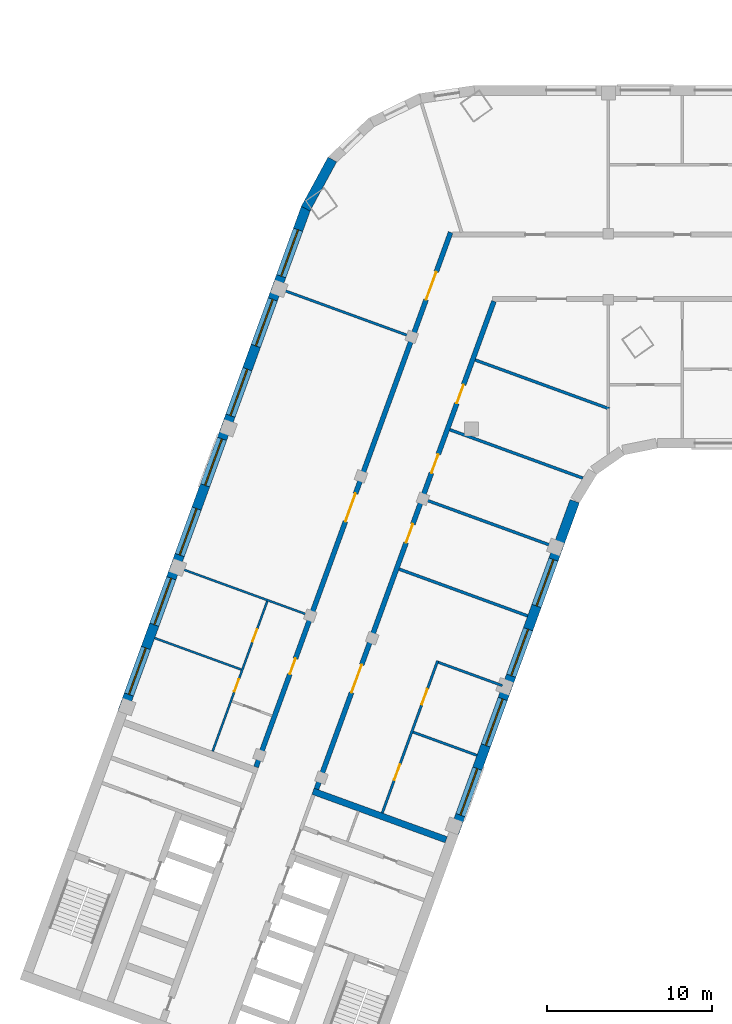
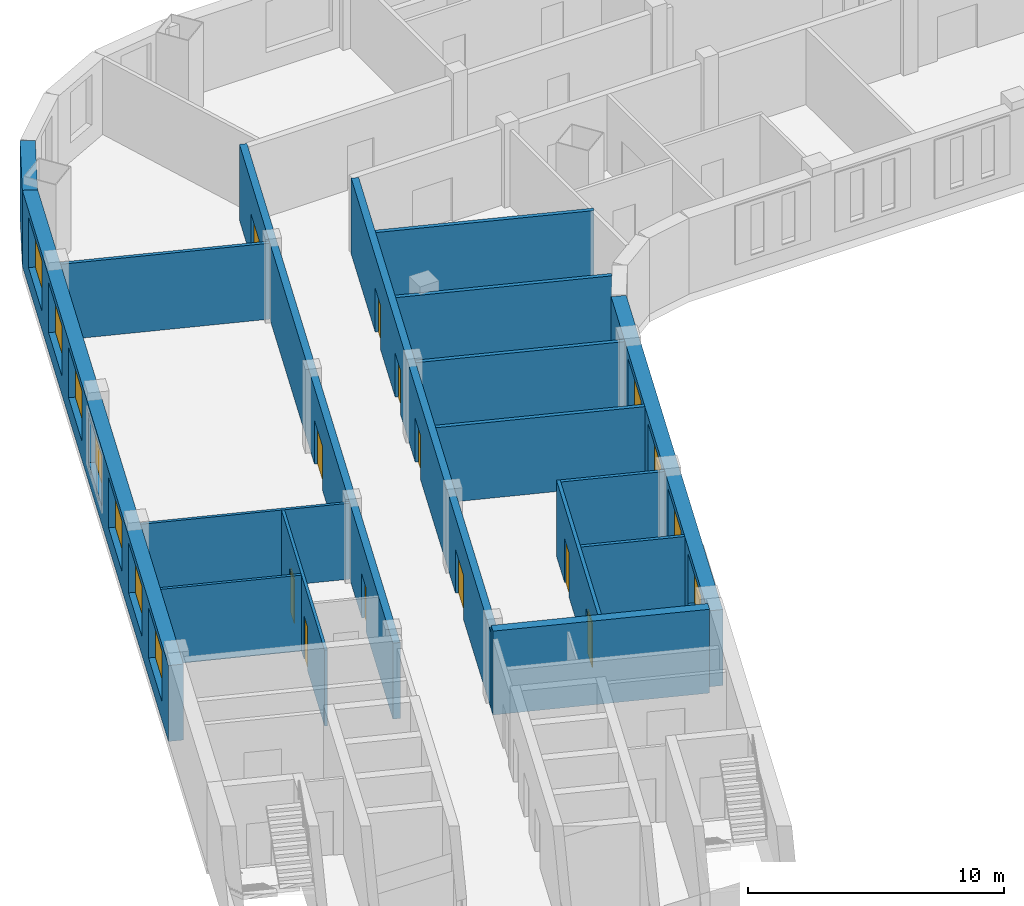
# One storey, part 3 of 10: 17 walls, 11 doors, 11 windows, 22 openings.
"""IFC4 building model written with IfcOpenShell, lengths in metres."""

from ifc_helpers import new_model, si_unit, direction, frame, frame_2d, origin, place, context, subcontext, project, spatial, rectangle, extrude, material, layer, layer_set, type_object, element, fill, save


model = new_model("IFC4")

# Units and contexts
model_context = context("Model", 3, precision=1e-05, world=origin(), true_north=direction((0.0, 1.0)))
body_context = subcontext(model_context, "Body", "Model", "MODEL_VIEW")
ifc_project = project(units=[si_unit("LENGTHUNIT", "METRE"), si_unit("AREAUNIT", "SQUARE_METRE"), si_unit("VOLUMEUNIT", "CUBIC_METRE"), si_unit("PLANEANGLEUNIT", "RADIAN"), si_unit("MASSUNIT", "GRAM", prefix="KILO")], contexts=[model_context])

# Site, building, storey
site_placement = place(None, origin())
site = spatial("IfcSite", under=ifc_project, at=site_placement, CompositionType="ELEMENT")
building_placement = place(site_placement, origin())
building = spatial("IfcBuilding", under=site, at=building_placement, Name="Skarvind Civic Tower", CompositionType="ELEMENT")
storey_placement = place(building_placement, frame((0.0, 0.0, 97.0)))
storey = spatial("IfcBuildingStorey", under=building, at=storey_placement, Name="L22", CompositionType="ELEMENT", Elevation=97.0)

# Walls
ifc_material_1 = material(Name="Acoustic gypsum board on steel studs", Category="steel")
ifc_layer_1 = layer(ifc_material_1, 0.175048828125)
ifc_layer_set_1 = layer_set([ifc_layer_1], Name="ACOUSTIC MEETING-ROOM PARTITION 175")
wall_type_1 = type_object("IfcWallType", Name="ACOUSTIC MEETING-ROOM PARTITION 175", PredefinedType="PARTITIONING", material=ifc_layer_set_1)
wall_1_placement = place(storey_placement, frame((41.56103515625, 109.6630859375, 0.0), z_axis=(0.0, 0.0, 1.0), x_axis=(0.939673986983, -0.342071334939, 0.0)))
element("IfcWall", 1, at=wall_1_placement, inside=storey, type_object=wall_type_1, Name="Partition 22.008", PredefinedType="PARTITIONING", context=body_context, shape_type="SweptSolid", body=[
    extrude(rectangle(XDim=8.2998046875, YDim=0.175048828125, at=frame_2d((4.14990234375, 0.0))), origin(), (0.0, 0.0, 1.0), 3.625),
])
wall_2_placement = place(storey_placement, frame((43.10009765625, 113.89111328125, 0.0), z_axis=(0.0, 0.0, 1.0), x_axis=(0.939670544866, -0.342080790328, 0.0)))
element("IfcWall", 2, at=wall_2_placement, inside=storey, type_object=wall_type_1, Name="Partition 22.012", PredefinedType="PARTITIONING", context=body_context, shape_type="SweptSolid", body=[
    extrude(rectangle(XDim=8.299560546875, YDim=0.175048828125, at=frame_2d((4.14990234375, 0.0))), origin(), (0.0, 0.0, 1.0), 3.625),
])
wall_3_placement = place(storey_placement, frame((44.638916015625, 118.1201171875, 0.0), z_axis=(0.0, 0.0, 1.0), x_axis=(0.939669707102, -0.342083091593, 0.0)))
element("IfcWall", 3, at=wall_3_placement, inside=storey, type_object=wall_type_1, Name="Partition 22.013", PredefinedType="PARTITIONING", context=body_context, shape_type="SweptSolid", body=[
    extrude(rectangle(XDim=8.58935546875, YDim=0.175048828125, at=frame_2d((4.294677734375, 0.0))), origin(), (0.0, 0.0, 1.0), 3.625),
])
wall_4_placement = place(storey_placement, frame((54.320068359375, 119.384033203125, 0.0), z_axis=(0.0, 0.0, 1.0), x_axis=(-0.939632908118, 0.342184157994, 0.0)))
element("IfcWall", 4, at=wall_4_placement, inside=storey, type_object=wall_type_1, Name="Partition 22.018", PredefinedType="PARTITIONING", context=body_context, shape_type="SweptSolid", body=[
    extrude(rectangle(XDim=8.665283203125, YDim=0.175048828125, at=frame_2d((4.33251953125, 0.0))), origin(), (0.0, 0.0, 1.0), 3.625),
])

# Wall, openings, doors
ifc_material_2 = material(Name="Fire-rated gypsum board on steel studs", Category="steel")
ifc_layer_2 = layer(ifc_material_2, 0.300048828125)
ifc_layer_set_2 = layer_set([ifc_layer_2], Name="CORRIDOR WALL 300")
wall_type_2 = type_object("IfcWallType", Name="CORRIDOR WALL 300", PredefinedType="PARTITIONING", material=ifc_layer_set_2)
wall_5_placement = place(storey_placement, frame((44.68603515625, 130.091064453125, 0.0), z_axis=(0.0, 0.0, 1.0), x_axis=(-0.342017360004, -0.939693633828, 0.0)))
wall_5 = element("IfcWall", 5, at=wall_5_placement, inside=storey, type_object=wall_type_2, Name="Partition 22.006", PredefinedType="PARTITIONING", context=body_context, shape_type="SweptSolid", body=[
    extrude(rectangle(XDim=34.515625, YDim=0.300048828125, at=frame_2d((17.2578125, 0.0))), origin(), (0.0, 0.0, 1.0), 3.625),
])
opening_1_placement = place(wall_5_placement, frame((27.515380859375, 0.0, 0.0)))
opening_1 = element("IfcOpeningElement", 6, at=opening_1_placement, cuts=wall_5, Name="Opening L22-D015", PredefinedType="OPENING", context=body_context, shape_type="SweptSolid", body=[
    extrude(rectangle(XDim=1.0, YDim=2.10009765625, at=frame_2d((0.5, 1.050048828125))), frame((0.0, 0.159912109375, 0.0), z_axis=(0.0, -1.0, 0.0), x_axis=(1.0, 0.0, 0.0)), (0.0, 0.0, 1.0), 0.320068359375),
])
opening_2_placement = place(wall_5_placement, frame((16.865234375, 0.0, 0.0)))
opening_2 = element("IfcOpeningElement", 7, at=opening_2_placement, cuts=wall_5, Name="Opening L22-D019", PredefinedType="OPENING", context=body_context, shape_type="SweptSolid", body=[
    extrude(rectangle(XDim=1.800048828125, YDim=2.10009765625, at=frame_2d((0.89990234375, 1.050048828125))), frame((0.0, 0.159912109375, 0.0), z_axis=(0.0, -1.0, 0.0), x_axis=(1.0, 0.0, 0.0)), (0.0, 0.0, 1.0), 0.320068359375),
])
opening_3_placement = place(wall_5_placement, frame((2.553955078125, 0.0, 0.0)))
opening_3 = element("IfcOpeningElement", 8, at=opening_3_placement, cuts=wall_5, Name="Opening L22-D026", PredefinedType="OPENING", context=body_context, shape_type="SweptSolid", body=[
    extrude(rectangle(XDim=1.800048828125, YDim=2.10009765625, at=frame_2d((0.89990234375, 1.050048828125))), frame((0.0, 0.159912109375, 0.0), z_axis=(0.0, -1.0, 0.0), x_axis=(1.0, 0.0, 0.0)), (0.0, 0.0, 1.0), 0.320068359375),
])
ifc_material_3 = material(Name="Fire-rated timber door leaf", Category="wood")
door_type_1 = type_object("IfcDoorType", Name="FD1 1000x2100", OperationType="NOTDEFINED", PredefinedType="DOOR", material=ifc_material_3)
door_1_placement = place(opening_1_placement, origin())
door_1 = element("IfcDoor", 9, at=door_1_placement, inside=storey, type_object=door_type_1, Name="Door L22-D015", OperationType="SINGLE_SWING_RIGHT", OverallHeight=2.10009765625, OverallWidth=1.0, PredefinedType="DOOR", context=body_context, shape_type="SweptSolid", body=[
    extrude(rectangle(XDim=1.0, YDim=2.10009765625, at=frame_2d((0.5, 1.050048828125))), frame((0.0, 0.02490234375, 0.0), z_axis=(0.0, -1.0, 0.0), x_axis=(1.0, 0.0, 0.0)), (0.0, 0.0, 1.0), 0.050048828125),
])
fill(opening_1, door_1)
door_type_2 = type_object("IfcDoorType", Name="FD4 1800x2100", OperationType="NOTDEFINED", PredefinedType="DOOR", material=ifc_material_3)
door_2_placement = place(opening_2_placement, origin())
door_2 = element("IfcDoor", 10, at=door_2_placement, inside=storey, type_object=door_type_2, Name="Door L22-D019", OperationType="DOUBLE_DOOR_SINGLE_SWING", OverallHeight=2.10009765625, OverallWidth=1.800048828125, PredefinedType="DOOR", context=body_context, shape_type="SweptSolid", body=[
    extrude(rectangle(XDim=1.800048828125, YDim=2.10009765625, at=frame_2d((0.89990234375, 1.050048828125))), frame((0.0, 0.02490234375, 0.0), z_axis=(0.0, -1.0, 0.0), x_axis=(1.0, 0.0, 0.0)), (0.0, 0.0, 1.0), 0.050048828125),
])
fill(opening_2, door_2)
door_3_placement = place(opening_3_placement, origin())
door_3 = element("IfcDoor", 11, at=door_3_placement, inside=storey, type_object=door_type_2, Name="Door L22-D026", OperationType="DOUBLE_DOOR_SINGLE_SWING", OverallHeight=2.10009765625, OverallWidth=1.800048828125, PredefinedType="DOOR", context=body_context, shape_type="SweptSolid", body=[
    extrude(rectangle(XDim=1.800048828125, YDim=2.10009765625, at=frame_2d((0.89990234375, 1.050048828125))), frame((0.0, 0.02490234375, 0.0), z_axis=(0.0, -1.0, 0.0), x_axis=(1.0, 0.0, 0.0)), (0.0, 0.0, 1.0), 0.050048828125),
])
fill(opening_3, door_3)

wall_6_placement = place(storey_placement, frame((47.31396484375, 125.908935546875, 0.0), z_axis=(0.0, 0.0, 1.0), x_axis=(-0.342010770371, -0.939696032209, 0.0)))
wall_6 = element("IfcWall", 12, at=wall_6_placement, inside=storey, type_object=wall_type_2, Name="Partition 22.015", PredefinedType="PARTITIONING", context=body_context, shape_type="SweptSolid", body=[
    extrude(rectangle(XDim=31.484619140625, YDim=0.300048828125, at=frame_2d((15.7421875, 0.0))), origin(), (0.0, 0.0, 1.0), 3.625),
])
opening_4_placement = place(wall_6_placement, frame((23.459228515625, 0.0, 0.0)))
opening_4 = element("IfcOpeningElement", 13, at=opening_4_placement, cuts=wall_6, Name="Opening L22-D022", PredefinedType="OPENING", context=body_context, shape_type="SweptSolid", body=[
    extrude(rectangle(XDim=1.800048828125, YDim=2.10009765625, at=frame_2d((0.89990234375, 1.050048828125))), frame((0.0, 0.159912109375, 0.0), z_axis=(0.0, -1.0, 0.0), x_axis=(1.0, 0.0, 0.0)), (0.0, 0.0, 1.0), 0.320068359375),
])
opening_5_placement = place(wall_6_placement, frame((14.384521484375, 0.0, 0.0)))
opening_5 = element("IfcOpeningElement", 14, at=opening_5_placement, cuts=wall_6, Name="Opening L22-D023", PredefinedType="OPENING", context=body_context, shape_type="SweptSolid", body=[
    extrude(rectangle(XDim=1.199951171875, YDim=2.10009765625, at=frame_2d((0.60009765625, 1.050048828125))), frame((0.0, 0.159912109375, 0.0), z_axis=(0.0, -1.0, 0.0), x_axis=(1.0, 0.0, 0.0)), (0.0, 0.0, 1.0), 0.320068359375),
])
opening_6_placement = place(wall_6_placement, frame((9.884521484375, 0.0, 0.0)))
opening_6 = element("IfcOpeningElement", 15, at=opening_6_placement, cuts=wall_6, Name="Opening L22-D024", PredefinedType="OPENING", context=body_context, shape_type="SweptSolid", body=[
    extrude(rectangle(XDim=1.199951171875, YDim=2.10009765625, at=frame_2d((0.60009765625, 1.050048828125))), frame((0.0, 0.159912109375, 0.0), z_axis=(0.0, -1.0, 0.0), x_axis=(1.0, 0.0, 0.0)), (0.0, 0.0, 1.0), 0.320068359375),
])
opening_7_placement = place(wall_6_placement, frame((5.38427734375, 0.0, 0.0)))
opening_7 = element("IfcOpeningElement", 16, at=opening_7_placement, cuts=wall_6, Name="Opening L22-D025", PredefinedType="OPENING", context=body_context, shape_type="SweptSolid", body=[
    extrude(rectangle(XDim=1.199951171875, YDim=2.10009765625, at=frame_2d((0.60009765625, 1.050048828125))), frame((0.0, 0.159912109375, 0.0), z_axis=(0.0, -1.0, 0.0), x_axis=(1.0, 0.0, 0.0)), (0.0, 0.0, 1.0), 0.320068359375),
])
door_4_placement = place(opening_4_placement, origin())
door_4 = element("IfcDoor", 17, at=door_4_placement, inside=storey, type_object=door_type_2, Name="Door L22-D022", OperationType="DOUBLE_DOOR_SINGLE_SWING", OverallHeight=2.10009765625, OverallWidth=1.800048828125, PredefinedType="DOOR", context=body_context, shape_type="SweptSolid", body=[
    extrude(rectangle(XDim=1.800048828125, YDim=2.10009765625, at=frame_2d((0.89990234375, 1.050048828125))), frame((0.0, 0.02490234375, 0.0), z_axis=(0.0, -1.0, 0.0), x_axis=(1.0, 0.0, 0.0)), (0.0, 0.0, 1.0), 0.050048828125),
])
fill(opening_4, door_4)
door_type_3 = type_object("IfcDoorType", Name="FD6 1200x2100 DOUBLE", OperationType="NOTDEFINED", PredefinedType="DOOR", material=ifc_material_3)
door_5_placement = place(opening_5_placement, origin())
door_5 = element("IfcDoor", 18, at=door_5_placement, inside=storey, type_object=door_type_3, Name="Door L22-D023", OperationType="DOUBLE_DOOR_SINGLE_SWING", OverallHeight=2.10009765625, OverallWidth=1.199951171875, PredefinedType="DOOR", context=body_context, shape_type="SweptSolid", body=[
    extrude(rectangle(XDim=1.199951171875, YDim=2.10009765625, at=frame_2d((0.60009765625, 1.050048828125))), frame((0.0, 0.02490234375, 0.0), z_axis=(0.0, -1.0, 0.0), x_axis=(1.0, 0.0, 0.0)), (0.0, 0.0, 1.0), 0.050048828125),
])
fill(opening_5, door_5)
door_6_placement = place(opening_6_placement, origin())
door_6 = element("IfcDoor", 19, at=door_6_placement, inside=storey, type_object=door_type_3, Name="Door L22-D024", OperationType="DOUBLE_DOOR_SINGLE_SWING", OverallHeight=2.10009765625, OverallWidth=1.199951171875, PredefinedType="DOOR", context=body_context, shape_type="SweptSolid", body=[
    extrude(rectangle(XDim=1.199951171875, YDim=2.10009765625, at=frame_2d((0.60009765625, 1.050048828125))), frame((0.0, 0.02490234375, 0.0), z_axis=(0.0, -1.0, 0.0), x_axis=(1.0, 0.0, 0.0)), (0.0, 0.0, 1.0), 0.050048828125),
])
fill(opening_6, door_6)
door_7_placement = place(opening_7_placement, origin())
door_7 = element("IfcDoor", 20, at=door_7_placement, inside=storey, type_object=door_type_3, Name="Door L22-D025", OperationType="DOUBLE_DOOR_SINGLE_SWING", OverallHeight=2.10009765625, OverallWidth=1.199951171875, PredefinedType="DOOR", context=body_context, shape_type="SweptSolid", body=[
    extrude(rectangle(XDim=1.199951171875, YDim=2.10009765625, at=frame_2d((0.60009765625, 1.050048828125))), frame((0.0, 0.02490234375, 0.0), z_axis=(0.0, -1.0, 0.0), x_axis=(1.0, 0.0, 0.0)), (0.0, 0.0, 1.0), 0.050048828125),
])
fill(opening_7, door_7)

# Wall
ifc_material_4 = material(Name="Concrete C80", Category="concrete")
ifc_layer_3 = layer(ifc_material_4, 0.39990234375)
ifc_layer_set_3 = layer_set([ifc_layer_3], Name="Core wall 400 C80")
wall_type_3 = type_object("IfcWallType", Name="Core wall 400 C80", PredefinedType="SHEAR", material=ifc_layer_set_3)
wall_7_placement = place(storey_placement, frame((44.417724609375, 93.2451171875, 0.0), z_axis=(0.0, 0.0, 1.0), x_axis=(-0.93969060187, 0.342025690201, 0.0)))
element("IfcWall", 21, at=wall_7_placement, inside=storey, type_object=wall_type_3, Name="Core wall C2 south inner face L22", PredefinedType="SHEAR", context=body_context, shape_type="SweptSolid", body=[
    extrude(rectangle(XDim=8.599853515625, YDim=0.39990234375, at=frame_2d((4.2998046875, 0.0))), origin(), (0.0, 0.0, 1.0), 4.0),
])

# Wall, openings, doors
ifc_material_5 = material(Name="Plasterboard partition on steel studs", Category="steel")
ifc_layer_4 = layer(ifc_material_5, 0.14990234375)
ifc_layer_set_4 = layer_set([ifc_layer_4], Name="PARTITION 150")
wall_type_4 = type_object("IfcWallType", Name="PARTITION 150", PredefinedType="PARTITIONING", material=ifc_layer_set_4)
wall_8_placement = place(storey_placement, frame((40.5390625, 94.8701171875, 0.0), z_axis=(0.0, 0.0, 1.0), x_axis=(0.342082231415, 0.939670020247, 0.0)))
wall_8 = element("IfcWall", 22, at=wall_8_placement, inside=storey, type_object=wall_type_4, Name="Partition 22.007", PredefinedType="PARTITIONING", context=body_context, shape_type="SweptSolid", body=[
    extrude(rectangle(XDim=9.82470703125, YDim=0.14990234375, at=frame_2d((4.912353515625, 0.0))), origin(), (0.0, 0.0, 1.0), 3.625),
])
opening_8_placement = place(wall_8_placement, frame((2.125, 0.0, 0.0)))
opening_8 = element("IfcOpeningElement", 23, at=opening_8_placement, cuts=wall_8, Name="Opening L22-D020", PredefinedType="OPENING", context=body_context, shape_type="SweptSolid", body=[
    extrude(rectangle(XDim=1.0, YDim=2.10009765625, at=frame_2d((0.5, 1.050048828125))), frame((0.0, 0.0849609375, 0.0), z_axis=(0.0, -1.0, 0.0), x_axis=(1.0, 0.0, 0.0)), (0.0, 0.0, 1.0), 0.169921875),
])
opening_9_placement = place(wall_8_placement, frame((7.0, 0.0, 0.0)))
opening_9 = element("IfcOpeningElement", 24, at=opening_9_placement, cuts=wall_8, Name="Opening L22-D021", PredefinedType="OPENING", context=body_context, shape_type="SweptSolid", body=[
    extrude(rectangle(XDim=1.0, YDim=2.10009765625, at=frame_2d((0.5, 1.050048828125))), frame((0.0, 0.0849609375, 0.0), z_axis=(0.0, -1.0, 0.0), x_axis=(1.0, 0.0, 0.0)), (0.0, 0.0, 1.0), 0.169921875),
])
ifc_material_6 = material(Name="Timber door leaf", Category="wood")
door_type_4 = type_object("IfcDoorType", Name="D1 1000x2100", OperationType="NOTDEFINED", PredefinedType="DOOR", material=ifc_material_6)
door_8_placement = place(opening_8_placement, origin())
door_8 = element("IfcDoor", 25, at=door_8_placement, inside=storey, type_object=door_type_4, Name="Door L22-D020", OperationType="SINGLE_SWING_LEFT", OverallHeight=2.10009765625, OverallWidth=1.0, PredefinedType="DOOR", context=body_context, shape_type="SweptSolid", body=[
    extrude(rectangle(XDim=1.0, YDim=2.10009765625, at=frame_2d((0.5, 1.050048828125))), frame((0.0, 0.02490234375, 0.0), z_axis=(0.0, -1.0, 0.0), x_axis=(1.0, 0.0, 0.0)), (0.0, 0.0, 1.0), 0.050048828125),
])
fill(opening_8, door_8)
door_9_placement = place(opening_9_placement, origin())
door_9 = element("IfcDoor", 26, at=door_9_placement, inside=storey, type_object=door_type_4, Name="Door L22-D021", OperationType="SINGLE_SWING_LEFT", OverallHeight=2.10009765625, OverallWidth=1.0, PredefinedType="DOOR", context=body_context, shape_type="SweptSolid", body=[
    extrude(rectangle(XDim=1.0, YDim=2.10009765625, at=frame_2d((0.5, 1.050048828125))), frame((0.0, 0.02490234375, 0.0), z_axis=(0.0, -1.0, 0.0), x_axis=(1.0, 0.0, 0.0)), (0.0, 0.0, 1.0), 0.050048828125),
])
fill(opening_9, door_9)

# Walls
wall_9_placement = place(storey_placement, frame((42.405029296875, 99.777099609375, 0.0), z_axis=(0.0, 0.0, 1.0), x_axis=(0.939765774653, -0.341819087808, 0.0)))
element("IfcWall", 27, at=wall_9_placement, inside=storey, type_object=wall_type_4, Name="Partition 22.009", PredefinedType="PARTITIONING", context=body_context, shape_type="SweptSolid", body=[
    extrude(rectangle(XDim=4.12548828125, YDim=0.14990234375, at=frame_2d((2.062744140625, 0.0))), origin(), (0.0, 0.0, 1.0), 3.625),
])
wall_10_placement = place(storey_placement, frame((42.23095703125, 123.784912109375, 0.0), z_axis=(0.0, 0.0, 1.0), x_axis=(-0.939687752599, 0.342033518263, 0.0)))
element("IfcWall", 28, at=wall_10_placement, inside=storey, type_object=wall_type_4, Name="Partition 22.010", PredefinedType="PARTITIONING", context=body_context, shape_type="SweptSolid", body=[
    extrude(rectangle(XDim=8.30078125, YDim=0.14990234375, at=frame_2d((4.150390625, 0.0))), origin(), (0.0, 0.0, 1.0), 3.625),
])
wall_11_placement = place(storey_placement, frame((43.944091796875, 104.006103515625, 0.0), z_axis=(0.0, 0.0, 1.0), x_axis=(0.939689717042, -0.34202812119, 0.0)))
element("IfcWall", 29, at=wall_11_placement, inside=storey, type_object=wall_type_4, Name="Partition 22.016", PredefinedType="PARTITIONING", context=body_context, shape_type="SweptSolid", body=[
    extrude(rectangle(XDim=4.125732421875, YDim=0.14990234375, at=frame_2d((2.06298828125, 0.0))), origin(), (0.0, 0.0, 1.0), 3.625),
])
ifc_material_7 = material(Name="Moisture-resistant gypsum board on steel studs", Category="steel")
ifc_layer_5 = layer(ifc_material_7, 0.125)
ifc_layer_set_5 = layer_set([ifc_layer_5], Name="WC PARTITION 125")
wall_type_5 = type_object("IfcWallType", Name="WC PARTITION 125", PredefinedType="PARTITIONING", material=ifc_layer_set_5)
wall_12_placement = place(storey_placement, frame((26.736083984375, 105.47998046875, 0.0), z_axis=(0.0, 0.0, 1.0), x_axis=(0.939690035435, -0.342027246436, 0.0)))
element("IfcWall", 30, at=wall_12_placement, inside=storey, type_object=wall_type_5, Name="Partition 22.001", PredefinedType="PARTITIONING", context=body_context, shape_type="SweptSolid", body=[
    extrude(rectangle(XDim=5.5869140625, YDim=0.125, at=frame_2d((2.79345703125, 0.0))), origin(), (0.0, 0.0, 1.0), 3.625),
])
wall_13_placement = place(storey_placement, frame((28.27490234375, 109.708984375, 0.0), z_axis=(0.0, 0.0, 1.0), x_axis=(0.939697205528, -0.342007546586, 0.0)))
element("IfcWall", 31, at=wall_13_placement, inside=storey, type_object=wall_type_5, Name="Partition 22.002", PredefinedType="PARTITIONING", context=body_context, shape_type="SweptSolid", body=[
    extrude(rectangle(XDim=8.300537109375, YDim=0.125, at=frame_2d((4.150390625, 0.0))), origin(), (0.0, 0.0, 1.0), 3.625),
])

# Wall, openings, doors
wall_14_placement = place(storey_placement, frame((30.25, 98.614990234375, 0.0), z_axis=(0.0, 0.0, 1.0), x_axis=(0.341998018937, 0.93970067311, 0.0)))
wall_14 = element("IfcWall", 32, at=wall_14_placement, inside=storey, type_object=wall_type_5, Name="Partition 22.003", PredefinedType="PARTITIONING", context=body_context, shape_type="SweptSolid", body=[
    extrude(rectangle(XDim=9.687255859375, YDim=0.125, at=frame_2d((4.84375, 0.0))), origin(), (0.0, 0.0, 1.0), 3.625),
])
opening_10_placement = place(wall_14_placement, frame((7.078125, 0.0, 0.0)))
opening_10 = element("IfcOpeningElement", 33, at=opening_10_placement, cuts=wall_14, Name="Opening L22-D017", PredefinedType="OPENING", context=body_context, shape_type="SweptSolid", body=[
    extrude(rectangle(XDim=0.800048828125, YDim=2.10009765625, at=frame_2d((0.39990234375, 1.050048828125))), frame((0.0, 0.072509765625, 0.0), z_axis=(0.0, -1.0, 0.0), x_axis=(1.0, 0.0, 0.0)), (0.0, 0.0, 1.0), 0.14501953125),
])
opening_11_placement = place(wall_14_placement, frame((3.847900390625, 0.0, 0.0)))
opening_11 = element("IfcOpeningElement", 34, at=opening_11_placement, cuts=wall_14, Name="Opening L22-D018", PredefinedType="OPENING", context=body_context, shape_type="SweptSolid", body=[
    extrude(rectangle(XDim=0.800048828125, YDim=2.10009765625, at=frame_2d((0.39990234375, 1.050048828125))), frame((0.0, 0.072509765625, 0.0), z_axis=(0.0, -1.0, 0.0), x_axis=(1.0, 0.0, 0.0)), (0.0, 0.0, 1.0), 0.14501953125),
])
door_type_5 = type_object("IfcDoorType", Name="DOOR 800X2100 TIMBER", OperationType="NOTDEFINED", PredefinedType="DOOR", material=ifc_material_6)
door_10_placement = place(opening_10_placement, origin())
door_10 = element("IfcDoor", 35, at=door_10_placement, inside=storey, type_object=door_type_5, Name="Door L22-D017", OperationType="SINGLE_SWING_RIGHT", OverallHeight=2.10009765625, OverallWidth=0.800048828125, PredefinedType="DOOR", context=body_context, shape_type="SweptSolid", body=[
    extrude(rectangle(XDim=0.800048828125, YDim=2.10009765625, at=frame_2d((0.39990234375, 1.050048828125))), frame((0.0, 0.02490234375, 0.0), z_axis=(0.0, -1.0, 0.0), x_axis=(1.0, 0.0, 0.0)), (0.0, 0.0, 1.0), 0.050048828125),
])
fill(opening_10, door_10)
door_11_placement = place(opening_11_placement, origin())
door_11 = element("IfcDoor", 36, at=door_11_placement, inside=storey, type_object=door_type_5, Name="Door L22-D018", OperationType="SINGLE_SWING_RIGHT", OverallHeight=2.10009765625, OverallWidth=0.800048828125, PredefinedType="DOOR", context=body_context, shape_type="SweptSolid", body=[
    extrude(rectangle(XDim=0.800048828125, YDim=2.10009765625, at=frame_2d((0.39990234375, 1.050048828125))), frame((0.0, 0.02490234375, 0.0), z_axis=(0.0, -1.0, 0.0), x_axis=(1.0, 0.0, 0.0)), (0.0, 0.0, 1.0), 0.050048828125),
])
fill(opening_11, door_11)

# Wall, openings, windows
ifc_material_8 = material(Name="Limestone masonry cladding on insulated backing", Category="masonry")
ifc_layer_6 = layer(ifc_material_8, 0.60009765625)
ifc_layer_set_6 = layer_set([ifc_layer_6], Name="WX1 STONE FACADE WALL 600")
wall_type_6 = type_object("IfcWallType", Name="WX1 STONE FACADE WALL 600", PredefinedType="SOLIDWALL", material=ifc_layer_set_6)
wall_15_placement = place(storey_placement, frame((52.212158203125, 113.78271484375, 0.0), z_axis=(0.0, 0.0, 1.0), x_axis=(-0.34202521188, -0.939690775968, 0.0)))
wall_15 = element("IfcWall", 37, at=wall_15_placement, inside=storey, type_object=wall_type_6, Name="STONE FACADE WALL", PredefinedType="SOLIDWALL", context=body_context, shape_type="SweptSolid", body=[
    extrude(rectangle(XDim=21.744873046875, YDim=0.60009765625, at=frame_2d((10.87255859375, 0.0))), origin(), (0.0, 0.0, 1.0), 3.625),
])
opening_12_placement = place(wall_15_placement, frame((3.764892578125, 0.0, 0.89990234375)))
opening_12 = element("IfcOpeningElement", 38, at=opening_12_placement, cuts=wall_15, Name="Opening WN1", PredefinedType="OPENING", context=body_context, shape_type="SweptSolid", body=[
    extrude(rectangle(XDim=3.0, YDim=2.39990234375, at=frame_2d((1.5, 1.199951171875))), frame((0.0, 0.31005859375, 0.0), z_axis=(0.0, -1.0, 0.0), x_axis=(1.0, 0.0, 0.0)), (0.0, 0.0, 1.0), 0.6201171875),
])
opening_13_placement = place(wall_15_placement, frame((8.264892578125, 0.0, 0.89990234375)))
opening_13 = element("IfcOpeningElement", 39, at=opening_13_placement, cuts=wall_15, Name="Opening WN1", PredefinedType="OPENING", context=body_context, shape_type="SweptSolid", body=[
    extrude(rectangle(XDim=3.0, YDim=2.39990234375, at=frame_2d((1.5, 1.199951171875))), frame((0.0, 0.31005859375, 0.0), z_axis=(0.0, -1.0, 0.0), x_axis=(1.0, 0.0, 0.0)), (0.0, 0.0, 1.0), 0.6201171875),
])
opening_14_placement = place(wall_15_placement, frame((12.764892578125, 0.0, 0.89990234375)))
opening_14 = element("IfcOpeningElement", 40, at=opening_14_placement, cuts=wall_15, Name="Opening WN1", PredefinedType="OPENING", context=body_context, shape_type="SweptSolid", body=[
    extrude(rectangle(XDim=3.0, YDim=2.39990234375, at=frame_2d((1.5, 1.199951171875))), frame((0.0, 0.31005859375, 0.0), z_axis=(0.0, -1.0, 0.0), x_axis=(1.0, 0.0, 0.0)), (0.0, 0.0, 1.0), 0.6201171875),
])
opening_15_placement = place(wall_15_placement, frame((17.264892578125, 0.0, 0.89990234375)))
opening_15 = element("IfcOpeningElement", 41, at=opening_15_placement, cuts=wall_15, Name="Opening WN1", PredefinedType="OPENING", context=body_context, shape_type="SweptSolid", body=[
    extrude(rectangle(XDim=3.0, YDim=2.39990234375, at=frame_2d((1.5, 1.199951171875))), frame((0.0, 0.31005859375, 0.0), z_axis=(0.0, -1.0, 0.0), x_axis=(1.0, 0.0, 0.0)), (0.0, 0.0, 1.0), 0.6201171875),
])
ifc_material_9 = material(Name="Timber frame, double glazing, timber-lined reveal", Category="wood")
window_type = type_object("IfcWindowType", Name="WN1 PUNCHED STONE WINDOW 3000 x 2400", PartitioningType="SINGLE_PANEL", PredefinedType="WINDOW", material=ifc_material_9)
window_1_placement = place(opening_12_placement, origin())
window_1 = element("IfcWindow", 42, at=window_1_placement, inside=storey, type_object=window_type, Name="WN1 WINDOW", OverallHeight=2.39990234375, OverallWidth=3.0, PartitioningType="SINGLE_PANEL", PredefinedType="WINDOW", context=body_context, shape_type="SweptSolid", body=[
    extrude(rectangle(XDim=3.0, YDim=2.39990234375, at=frame_2d((1.5, 1.199951171875))), frame((0.0, 0.030029296875, 0.0), z_axis=(0.0, -1.0, 0.0), x_axis=(1.0, 0.0, 0.0)), (0.0, 0.0, 1.0), 0.06005859375),
])
fill(opening_12, window_1)
window_2_placement = place(opening_13_placement, origin())
window_2 = element("IfcWindow", 43, at=window_2_placement, inside=storey, type_object=window_type, Name="WN1 WINDOW", OverallHeight=2.39990234375, OverallWidth=3.0, PartitioningType="SINGLE_PANEL", PredefinedType="WINDOW", context=body_context, shape_type="SweptSolid", body=[
    extrude(rectangle(XDim=3.0, YDim=2.39990234375, at=frame_2d((1.5, 1.199951171875))), frame((0.0, 0.030029296875, 0.0), z_axis=(0.0, -1.0, 0.0), x_axis=(1.0, 0.0, 0.0)), (0.0, 0.0, 1.0), 0.06005859375),
])
fill(opening_13, window_2)
window_3_placement = place(opening_14_placement, origin())
window_3 = element("IfcWindow", 44, at=window_3_placement, inside=storey, type_object=window_type, Name="WN1 WINDOW", OverallHeight=2.39990234375, OverallWidth=3.0, PartitioningType="SINGLE_PANEL", PredefinedType="WINDOW", context=body_context, shape_type="SweptSolid", body=[
    extrude(rectangle(XDim=3.0, YDim=2.39990234375, at=frame_2d((1.5, 1.199951171875))), frame((0.0, 0.030029296875, 0.0), z_axis=(0.0, -1.0, 0.0), x_axis=(1.0, 0.0, 0.0)), (0.0, 0.0, 1.0), 0.06005859375),
])
fill(opening_14, window_3)
window_4_placement = place(opening_15_placement, origin())
window_4 = element("IfcWindow", 45, at=window_4_placement, inside=storey, type_object=window_type, Name="WN1 WINDOW", OverallHeight=2.39990234375, OverallWidth=3.0, PartitioningType="SINGLE_PANEL", PredefinedType="WINDOW", context=body_context, shape_type="SweptSolid", body=[
    extrude(rectangle(XDim=3.0, YDim=2.39990234375, at=frame_2d((1.5, 1.199951171875))), frame((0.0, 0.030029296875, 0.0), z_axis=(0.0, -1.0, 0.0), x_axis=(1.0, 0.0, 0.0)), (0.0, 0.0, 1.0), 0.06005859375),
])
fill(opening_15, window_4)

# Wall
wall_16_placement = place(storey_placement, frame((35.89453125, 131.529541015625, 0.0), z_axis=(0.0, 0.0, 1.0), x_axis=(0.476531180538, 0.879157570618, 0.0)))
element("IfcWall", 46, at=wall_16_placement, inside=storey, type_object=wall_type_6, Name="STONE FACADE WALL", PredefinedType="SOLIDWALL", context=body_context, shape_type="SweptSolid", body=[
    extrude(rectangle(XDim=3.392578125, YDim=0.60009765625, at=frame_2d((1.6962890625, 0.0))), origin(), (0.0, 0.0, 1.0), 3.625),
])

# Wall, openings, windows
wall_17_placement = place(storey_placement, frame((24.66552734375, 100.668701171875, 0.0), z_axis=(0.0, 0.0, 1.0), x_axis=(0.34201964167, 0.939692803373, 0.0)))
wall_17 = element("IfcWall", 47, at=wall_17_placement, inside=storey, type_object=wall_type_6, Name="STONE FACADE WALL", PredefinedType="SOLIDWALL", context=body_context, shape_type="SweptSolid", body=[
    extrude(rectangle(XDim=32.88427734375, YDim=0.60009765625, at=frame_2d((16.442138671875, 0.0))), origin(), (0.0, 0.0, 1.0), 3.625),
])
opening_16_placement = place(wall_17_placement, frame((1.47998046875, 0.0, 0.89990234375)))
opening_16 = element("IfcOpeningElement", 48, at=opening_16_placement, cuts=wall_17, Name="Opening WN1", PredefinedType="OPENING", context=body_context, shape_type="SweptSolid", body=[
    extrude(rectangle(XDim=3.0, YDim=2.39990234375, at=frame_2d((1.5, 1.199951171875))), frame((0.0, 0.31005859375, 0.0), z_axis=(0.0, -1.0, 0.0), x_axis=(1.0, 0.0, 0.0)), (0.0, 0.0, 1.0), 0.6201171875),
])
opening_17_placement = place(wall_17_placement, frame((5.97998046875, 0.0, 0.89990234375)))
opening_17 = element("IfcOpeningElement", 49, at=opening_17_placement, cuts=wall_17, Name="Opening WN1", PredefinedType="OPENING", context=body_context, shape_type="SweptSolid", body=[
    extrude(rectangle(XDim=3.0, YDim=2.39990234375, at=frame_2d((1.5, 1.199951171875))), frame((0.0, 0.31005859375, 0.0), z_axis=(0.0, -1.0, 0.0), x_axis=(1.0, 0.0, 0.0)), (0.0, 0.0, 1.0), 0.6201171875),
])
opening_18_placement = place(wall_17_placement, frame((10.47998046875, 0.0, 0.89990234375)))
opening_18 = element("IfcOpeningElement", 50, at=opening_18_placement, cuts=wall_17, Name="Opening WN1", PredefinedType="OPENING", context=body_context, shape_type="SweptSolid", body=[
    extrude(rectangle(XDim=3.0, YDim=2.39990234375, at=frame_2d((1.5, 1.199951171875))), frame((0.0, 0.31005859375, 0.0), z_axis=(0.0, -1.0, 0.0), x_axis=(1.0, 0.0, 0.0)), (0.0, 0.0, 1.0), 0.6201171875),
])
opening_19_placement = place(wall_17_placement, frame((14.97998046875, 0.0, 0.89990234375)))
opening_19 = element("IfcOpeningElement", 51, at=opening_19_placement, cuts=wall_17, Name="Opening WN1", PredefinedType="OPENING", context=body_context, shape_type="SweptSolid", body=[
    extrude(rectangle(XDim=3.0, YDim=2.39990234375, at=frame_2d((1.5, 1.199951171875))), frame((0.0, 0.31005859375, 0.0), z_axis=(0.0, -1.0, 0.0), x_axis=(1.0, 0.0, 0.0)), (0.0, 0.0, 1.0), 0.6201171875),
])
opening_20_placement = place(wall_17_placement, frame((19.47998046875, 0.0, 0.89990234375)))
opening_20 = element("IfcOpeningElement", 52, at=opening_20_placement, cuts=wall_17, Name="Opening WN1", PredefinedType="OPENING", context=body_context, shape_type="SweptSolid", body=[
    extrude(rectangle(XDim=3.0, YDim=2.39990234375, at=frame_2d((1.5, 1.199951171875))), frame((0.0, 0.31005859375, 0.0), z_axis=(0.0, -1.0, 0.0), x_axis=(1.0, 0.0, 0.0)), (0.0, 0.0, 1.0), 0.6201171875),
])
opening_21_placement = place(wall_17_placement, frame((23.97998046875, 0.0, 0.89990234375)))
opening_21 = element("IfcOpeningElement", 53, at=opening_21_placement, cuts=wall_17, Name="Opening WN1", PredefinedType="OPENING", context=body_context, shape_type="SweptSolid", body=[
    extrude(rectangle(XDim=3.0, YDim=2.39990234375, at=frame_2d((1.5, 1.199951171875))), frame((0.0, 0.31005859375, 0.0), z_axis=(0.0, -1.0, 0.0), x_axis=(1.0, 0.0, 0.0)), (0.0, 0.0, 1.0), 0.6201171875),
])
opening_22_placement = place(wall_17_placement, frame((28.47998046875, 0.0, 0.89990234375)))
opening_22 = element("IfcOpeningElement", 54, at=opening_22_placement, cuts=wall_17, Name="Opening WN1", PredefinedType="OPENING", context=body_context, shape_type="SweptSolid", body=[
    extrude(rectangle(XDim=3.0, YDim=2.39990234375, at=frame_2d((1.5, 1.199951171875))), frame((0.0, 0.31005859375, 0.0), z_axis=(0.0, -1.0, 0.0), x_axis=(1.0, 0.0, 0.0)), (0.0, 0.0, 1.0), 0.6201171875),
])
window_5_placement = place(opening_16_placement, origin())
window_5 = element("IfcWindow", 55, at=window_5_placement, inside=storey, type_object=window_type, Name="WN1 WINDOW", OverallHeight=2.39990234375, OverallWidth=3.0, PartitioningType="SINGLE_PANEL", PredefinedType="WINDOW", context=body_context, shape_type="SweptSolid", body=[
    extrude(rectangle(XDim=3.0, YDim=2.39990234375, at=frame_2d((1.5, 1.199951171875))), frame((0.0, 0.030029296875, 0.0), z_axis=(0.0, -1.0, 0.0), x_axis=(1.0, 0.0, 0.0)), (0.0, 0.0, 1.0), 0.06005859375),
])
fill(opening_16, window_5)
window_6_placement = place(opening_17_placement, origin())
window_6 = element("IfcWindow", 56, at=window_6_placement, inside=storey, type_object=window_type, Name="WN1 WINDOW", OverallHeight=2.39990234375, OverallWidth=3.0, PartitioningType="SINGLE_PANEL", PredefinedType="WINDOW", context=body_context, shape_type="SweptSolid", body=[
    extrude(rectangle(XDim=3.0, YDim=2.39990234375, at=frame_2d((1.5, 1.199951171875))), frame((0.0, 0.030029296875, 0.0), z_axis=(0.0, -1.0, 0.0), x_axis=(1.0, 0.0, 0.0)), (0.0, 0.0, 1.0), 0.06005859375),
])
fill(opening_17, window_6)
window_7_placement = place(opening_18_placement, origin())
window_7 = element("IfcWindow", 57, at=window_7_placement, inside=storey, type_object=window_type, Name="WN1 WINDOW", OverallHeight=2.39990234375, OverallWidth=3.0, PartitioningType="SINGLE_PANEL", PredefinedType="WINDOW", context=body_context, shape_type="SweptSolid", body=[
    extrude(rectangle(XDim=3.0, YDim=2.39990234375, at=frame_2d((1.5, 1.199951171875))), frame((0.0, 0.030029296875, 0.0), z_axis=(0.0, -1.0, 0.0), x_axis=(1.0, 0.0, 0.0)), (0.0, 0.0, 1.0), 0.06005859375),
])
fill(opening_18, window_7)
window_8_placement = place(opening_19_placement, origin())
window_8 = element("IfcWindow", 58, at=window_8_placement, inside=storey, type_object=window_type, Name="WN1 WINDOW", OverallHeight=2.39990234375, OverallWidth=3.0, PartitioningType="SINGLE_PANEL", PredefinedType="WINDOW", context=body_context, shape_type="SweptSolid", body=[
    extrude(rectangle(XDim=3.0, YDim=2.39990234375, at=frame_2d((1.5, 1.199951171875))), frame((0.0, 0.030029296875, 0.0), z_axis=(0.0, -1.0, 0.0), x_axis=(1.0, 0.0, 0.0)), (0.0, 0.0, 1.0), 0.06005859375),
])
fill(opening_19, window_8)
window_9_placement = place(opening_20_placement, origin())
window_9 = element("IfcWindow", 59, at=window_9_placement, inside=storey, type_object=window_type, Name="WN1 WINDOW", OverallHeight=2.39990234375, OverallWidth=3.0, PartitioningType="SINGLE_PANEL", PredefinedType="WINDOW", context=body_context, shape_type="SweptSolid", body=[
    extrude(rectangle(XDim=3.0, YDim=2.39990234375, at=frame_2d((1.5, 1.199951171875))), frame((0.0, 0.030029296875, 0.0), z_axis=(0.0, -1.0, 0.0), x_axis=(1.0, 0.0, 0.0)), (0.0, 0.0, 1.0), 0.06005859375),
])
fill(opening_20, window_9)
window_10_placement = place(opening_21_placement, origin())
window_10 = element("IfcWindow", 60, at=window_10_placement, inside=storey, type_object=window_type, Name="WN1 WINDOW", OverallHeight=2.39990234375, OverallWidth=3.0, PartitioningType="SINGLE_PANEL", PredefinedType="WINDOW", context=body_context, shape_type="SweptSolid", body=[
    extrude(rectangle(XDim=3.0, YDim=2.39990234375, at=frame_2d((1.5, 1.199951171875))), frame((0.0, 0.030029296875, 0.0), z_axis=(0.0, -1.0, 0.0), x_axis=(1.0, 0.0, 0.0)), (0.0, 0.0, 1.0), 0.06005859375),
])
fill(opening_21, window_10)
window_11_placement = place(opening_22_placement, origin())
window_11 = element("IfcWindow", 61, at=window_11_placement, inside=storey, type_object=window_type, Name="WN1 WINDOW", OverallHeight=2.39990234375, OverallWidth=3.0, PartitioningType="SINGLE_PANEL", PredefinedType="WINDOW", context=body_context, shape_type="SweptSolid", body=[
    extrude(rectangle(XDim=3.0, YDim=2.39990234375, at=frame_2d((1.5, 1.199951171875))), frame((0.0, 0.030029296875, 0.0), z_axis=(0.0, -1.0, 0.0), x_axis=(1.0, 0.0, 0.0)), (0.0, 0.0, 1.0), 0.06005859375),
])
fill(opening_22, window_11)

save(model, "model.ifc")
